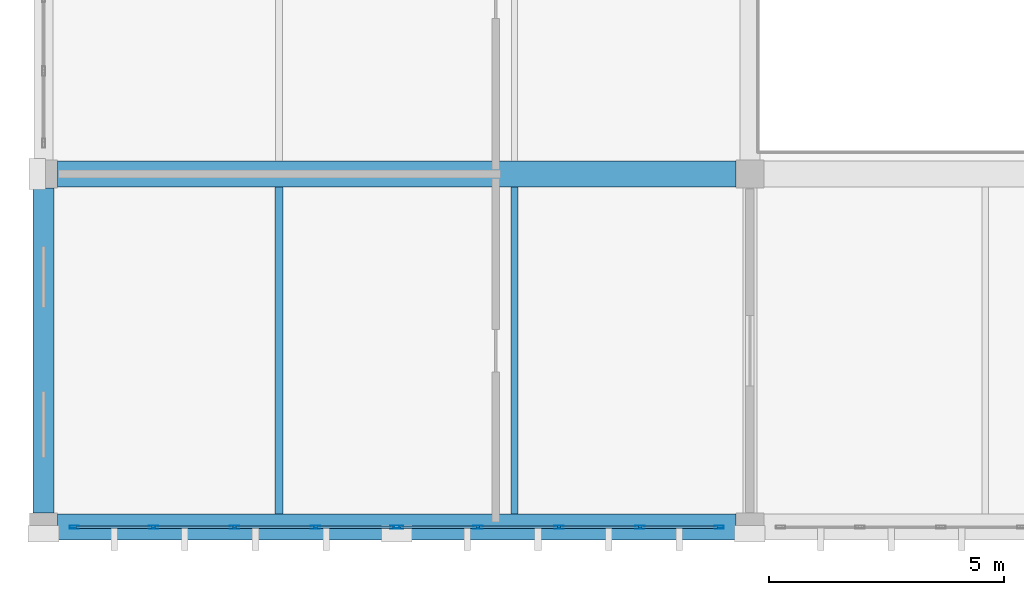
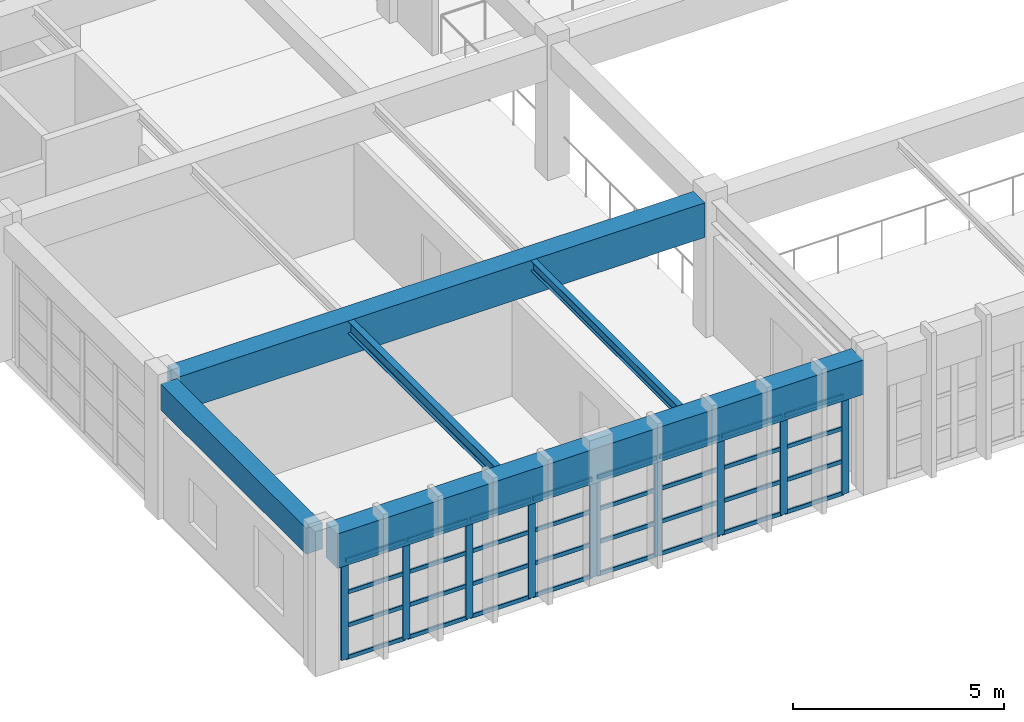
# One storey, part 2 of 124: 42 members, 5 beams, 2 elements without a shape of their own.
"""IFC4 building model written with IfcOpenShell, lengths in metres."""

from ifc_helpers import new_model, si_unit, direction, frame, origin, origin_2d, place, context, subcontext, project, spatial, rectangle, hollow_rectangle, i_section, extrude, material, material_profile, profile_set, type_object, element, aggregate, save


model = new_model("IFC4")

# Units and contexts
model_context = context("Model", 3, precision=1e-05, world=origin(), true_north=direction((0.0, 1.0)))
body_context = subcontext(model_context, "Body", "Model", "MODEL_VIEW")
ifc_project = project(units=[si_unit("LENGTHUNIT", "METRE"), si_unit("AREAUNIT", "SQUARE_METRE"), si_unit("VOLUMEUNIT", "CUBIC_METRE"), si_unit("PLANEANGLEUNIT", "RADIAN"), si_unit("MASSUNIT", "GRAM", prefix="KILO")], contexts=[model_context])

# Site, building, storey
site_placement = place(None, origin())
site = spatial("IfcSite", under=ifc_project, at=site_placement, CompositionType="ELEMENT")
building_placement = place(site_placement, origin())
building = spatial("IfcBuilding", under=site, at=building_placement, Name="Qasida Concert Hall", CompositionType="ELEMENT")
storey_placement = place(building_placement, frame((0.0, 0.0, 9.0)))
storey = spatial("IfcBuildingStorey", under=building, at=storey_placement, Name="L02", CompositionType="ELEMENT", Elevation=9.0)

# Beams
ifc_material_1 = material(Name="Concrete C40/50", Category="concrete")
ifc_material_profile_1 = material_profile(ifc_material_1, rectangle(XDim=0.550048828125, YDim=1.0, at=origin_2d()), Name="RC 550x1000")
ifc_profile_set_1 = profile_set([ifc_material_profile_1], Name="Concrete C40/50")
beam_type_1 = type_object("IfcBeamType", Name="BM-G3", PredefinedType="USERDEFINED", material=ifc_profile_set_1)
for number, where, z_axis, x_axis, name in (
    (1, (0.300048828125, 0.0, 3.39990234375), (1.0, 0.0, 0.0), (0.0, 1.0, 0.0), "Primary girder 1269"),
    (2, (0.300048828125, 7.5, 3.39990234375), (1.0, 0.0, 0.0), (0.0, 1.0, 0.0), "Primary girder 1272"),
):
    element("IfcBeam", number, at=place(storey_placement, frame(where, z_axis=z_axis, x_axis=x_axis)), inside=storey, type_object=beam_type_1, Name=name, ObjectType="GIRDER", PredefinedType="USERDEFINED", context=body_context, shape_type="SweptSolid", body=[
        extrude(rectangle(XDim=0.550048828125, YDim=1.0, at=origin_2d()), origin(), (0.0, 0.0, 1.0), 14.39990234375),
    ])
ifc_material_2 = material(Name="Steel S355J2", Category="steel")
ifc_material_profile_2 = material_profile(ifc_material_2, i_section(OverallWidth=0.169921875, OverallDepth=0.360107421875, WebThickness=0.008056640625, FlangeThickness=0.0126953125, FilletRadius=0.01806640625, at=origin_2d()), Name="IPE 360")
ifc_profile_set_2 = profile_set([ifc_material_profile_2], Name="Steel S355J2")
beam_type_2 = type_object("IfcBeamType", Name="BM-J2", PredefinedType="JOIST", material=ifc_profile_set_2)
beam_1_placement = place(storey_placement, frame((5.0, 0.27490234375, 3.719970703125), z_axis=(0.0, 1.0, 0.0), x_axis=(-1.0, 0.0, 0.0)))
element("IfcBeam", 3, at=beam_1_placement, inside=storey, type_object=beam_type_2, Name="L02 secondary joist 1321", PredefinedType="JOIST", context=body_context, shape_type="SweptSolid", body=[
    extrude(i_section(OverallWidth=0.169921875, OverallDepth=0.360107421875, WebThickness=0.008056640625, FlangeThickness=0.0126953125, FilletRadius=0.01806640625, at=origin_2d()), origin(), (0.0, 0.0, 1.0), 6.9501953125),
])
ifc_material_profile_3 = material_profile(ifc_material_2, i_section(OverallWidth=0.14990234375, OverallDepth=0.300048828125, WebThickness=0.007080078125, FlangeThickness=0.0107421875, FilletRadius=0.014892578125, at=origin_2d()), Name="IPE 300")
ifc_profile_set_3 = profile_set([ifc_material_profile_3], Name="Steel S355J2")
beam_type_3 = type_object("IfcBeamType", Name="BM-J4", PredefinedType="JOIST", material=ifc_profile_set_3)
beam_2_placement = place(storey_placement, frame((10.0, 0.27490234375, 3.75), z_axis=(0.0, 1.0, 0.0), x_axis=(-1.0, 0.0, 0.0)))
element("IfcBeam", 4, at=beam_2_placement, inside=storey, type_object=beam_type_3, Name="L02 secondary joist 1322", PredefinedType="JOIST", context=body_context, shape_type="SweptSolid", body=[
    extrude(i_section(OverallWidth=0.14990234375, OverallDepth=0.300048828125, WebThickness=0.007080078125, FlangeThickness=0.0107421875, FilletRadius=0.014892578125, at=origin_2d()), origin(), (0.0, 0.0, 1.0), 6.9501953125),
])
ifc_material_profile_4 = material_profile(ifc_material_1, rectangle(XDim=0.449951171875, YDim=0.75, at=origin_2d()), Name="RC 450x750")
ifc_profile_set_4 = profile_set([ifc_material_profile_4], Name="Concrete C40/50")
beam_type_4 = type_object("IfcBeamType", Name="BM-SP4", PredefinedType="SPANDREL", material=ifc_profile_set_4)
beam_3_placement = place(storey_placement, frame((0.0, 0.300048828125, 3.52490234375), z_axis=(0.0, 1.0, 0.0), x_axis=(-1.0, 0.0, 0.0)))
element("IfcBeam", 5, at=beam_3_placement, inside=storey, type_object=beam_type_4, Name="L02 girder 1293", PredefinedType="SPANDREL", context=body_context, shape_type="SweptSolid", body=[
    extrude(rectangle(XDim=0.449951171875, YDim=0.75, at=origin_2d()), origin(), (0.0, 0.0, 1.0), 6.89990234375),
])

# Curtain wall, members
ifc_material_3 = material(Name="Architectural bronze-anodized aluminium and low-E glass", Category="aluminium")
curtain_wall_type = type_object("IfcCurtainWallType", Name="CW-08", PredefinedType="NOTDEFINED", material=ifc_material_3)
curtain_wall_1_placement = place(storey_placement, origin())
curtain_wall_1 = element("IfcCurtainWall", 6, at=curtain_wall_1_placement, inside=storey, type_object=curtain_wall_type, Name="L02 curtain wall CW-08 0099", PredefinedType="NOTDEFINED")
ifc_material_4 = material(Name="Architectural bronze-anodized aluminium EN AW-6063", Category="aluminium")
ifc_material_profile_5 = material_profile(ifc_material_4, hollow_rectangle(XDim=0.06494140625, YDim=0.199951171875, WallThickness=0.0048828125, InnerFilletRadius=0.0048828125, OuterFilletRadius=0.010009765625, at=origin_2d()), Name="CWM 200x65x5")
ifc_profile_set_5 = profile_set([ifc_material_profile_5], Name="Architectural bronze-anodized aluminium EN AW-6063")
member_type_1 = type_object("IfcMemberType", Name="MB-CWM-2", PredefinedType="MULLION", material=ifc_profile_set_5)
member_1_placement = place(storey_placement, frame((0.652587890625, 0.0, 0.0), z_axis=(0.0, 0.0, 1.0), x_axis=(0.0, 1.0, 0.0)))
member_1 = element("IfcMember", 7, at=member_1_placement, type_object=member_type_1, Name="CW-08 mullion 1", PredefinedType="MULLION", context=body_context, shape_type="SweptSolid", body=[
    extrude(hollow_rectangle(XDim=0.06494140625, YDim=0.199951171875, WallThickness=0.0048828125, InnerFilletRadius=0.0048828125, OuterFilletRadius=0.010009765625, at=origin_2d()), origin(), (0.0, 0.0, 1.0), 2.8701171875),
])
member_2_placement = place(storey_placement, frame((2.33740234375, 0.0, 0.0), z_axis=(0.0, 0.0, 1.0), x_axis=(0.0, 1.0, 0.0)))
member_2 = element("IfcMember", 8, at=member_2_placement, type_object=member_type_1, Name="CW-08 mullion 2", PredefinedType="MULLION", context=body_context, shape_type="SweptSolid", body=[
    extrude(hollow_rectangle(XDim=0.06494140625, YDim=0.199951171875, WallThickness=0.0048828125, InnerFilletRadius=0.0048828125, OuterFilletRadius=0.010009765625, at=origin_2d()), origin(), (0.0, 0.0, 1.0), 2.8701171875),
])
member_3_placement = place(storey_placement, frame((4.054931640625, 0.0, 0.0), z_axis=(0.0, 0.0, 1.0), x_axis=(0.0, 1.0, 0.0)))
member_3 = element("IfcMember", 9, at=member_3_placement, type_object=member_type_1, Name="CW-08 mullion 3", PredefinedType="MULLION", context=body_context, shape_type="SweptSolid", body=[
    extrude(hollow_rectangle(XDim=0.06494140625, YDim=0.199951171875, WallThickness=0.0048828125, InnerFilletRadius=0.0048828125, OuterFilletRadius=0.010009765625, at=origin_2d()), origin(), (0.0, 0.0, 1.0), 2.8701171875),
])
member_4_placement = place(storey_placement, frame((5.7724609375, 0.0, 0.0), z_axis=(0.0, 0.0, 1.0), x_axis=(0.0, 1.0, 0.0)))
member_4 = element("IfcMember", 10, at=member_4_placement, type_object=member_type_1, Name="CW-08 mullion 4", PredefinedType="MULLION", context=body_context, shape_type="SweptSolid", body=[
    extrude(hollow_rectangle(XDim=0.06494140625, YDim=0.199951171875, WallThickness=0.0048828125, InnerFilletRadius=0.0048828125, OuterFilletRadius=0.010009765625, at=origin_2d()), origin(), (0.0, 0.0, 1.0), 2.8701171875),
])
member_5_placement = place(storey_placement, frame((7.45751953125, 0.0, 0.0), z_axis=(0.0, 0.0, 1.0), x_axis=(0.0, 1.0, 0.0)))
member_5 = element("IfcMember", 11, at=member_5_placement, type_object=member_type_1, Name="CW-08 mullion 5", PredefinedType="MULLION", context=body_context, shape_type="SweptSolid", body=[
    extrude(hollow_rectangle(XDim=0.06494140625, YDim=0.199951171875, WallThickness=0.0048828125, InnerFilletRadius=0.0048828125, OuterFilletRadius=0.010009765625, at=origin_2d()), origin(), (0.0, 0.0, 1.0), 2.8701171875),
])

curtain_wall_2_placement = place(storey_placement, origin())
curtain_wall_2 = element("IfcCurtainWall", 12, at=curtain_wall_2_placement, inside=storey, type_object=curtain_wall_type, Name="L02 curtain wall CW-08 0101", PredefinedType="NOTDEFINED")
member_6_placement = place(storey_placement, frame((7.54248046875, 0.0, 0.0), z_axis=(0.0, 0.0, 1.0), x_axis=(0.0, 1.0, 0.0)))
member_6 = element("IfcMember", 13, at=member_6_placement, type_object=member_type_1, Name="CW-08 mullion 1", PredefinedType="MULLION", context=body_context, shape_type="SweptSolid", body=[
    extrude(hollow_rectangle(XDim=0.06494140625, YDim=0.199951171875, WallThickness=0.0048828125, InnerFilletRadius=0.0048828125, OuterFilletRadius=0.010009765625, at=origin_2d()), origin(), (0.0, 0.0, 1.0), 2.8701171875),
])
member_7_placement = place(storey_placement, frame((9.2275390625, 0.0, 0.0), z_axis=(0.0, 0.0, 1.0), x_axis=(0.0, 1.0, 0.0)))
member_7 = element("IfcMember", 14, at=member_7_placement, type_object=member_type_1, Name="CW-08 mullion 2", PredefinedType="MULLION", context=body_context, shape_type="SweptSolid", body=[
    extrude(hollow_rectangle(XDim=0.06494140625, YDim=0.199951171875, WallThickness=0.0048828125, InnerFilletRadius=0.0048828125, OuterFilletRadius=0.010009765625, at=origin_2d()), origin(), (0.0, 0.0, 1.0), 2.8701171875),
])
member_8_placement = place(storey_placement, frame((10.945068359375, 0.0, 0.0), z_axis=(0.0, 0.0, 1.0), x_axis=(0.0, 1.0, 0.0)))
member_8 = element("IfcMember", 15, at=member_8_placement, type_object=member_type_1, Name="CW-08 mullion 3", PredefinedType="MULLION", context=body_context, shape_type="SweptSolid", body=[
    extrude(hollow_rectangle(XDim=0.06494140625, YDim=0.199951171875, WallThickness=0.0048828125, InnerFilletRadius=0.0048828125, OuterFilletRadius=0.010009765625, at=origin_2d()), origin(), (0.0, 0.0, 1.0), 2.8701171875),
])
member_9_placement = place(storey_placement, frame((12.66259765625, 0.0, 0.0), z_axis=(0.0, 0.0, 1.0), x_axis=(0.0, 1.0, 0.0)))
member_9 = element("IfcMember", 16, at=member_9_placement, type_object=member_type_1, Name="CW-08 mullion 4", PredefinedType="MULLION", context=body_context, shape_type="SweptSolid", body=[
    extrude(hollow_rectangle(XDim=0.06494140625, YDim=0.199951171875, WallThickness=0.0048828125, InnerFilletRadius=0.0048828125, OuterFilletRadius=0.010009765625, at=origin_2d()), origin(), (0.0, 0.0, 1.0), 2.8701171875),
])
member_10_placement = place(storey_placement, frame((14.347412109375, 0.0, 0.0), z_axis=(0.0, 0.0, 1.0), x_axis=(0.0, 1.0, 0.0)))
member_10 = element("IfcMember", 17, at=member_10_placement, type_object=member_type_1, Name="CW-08 mullion 5", PredefinedType="MULLION", context=body_context, shape_type="SweptSolid", body=[
    extrude(hollow_rectangle(XDim=0.06494140625, YDim=0.199951171875, WallThickness=0.0048828125, InnerFilletRadius=0.0048828125, OuterFilletRadius=0.010009765625, at=origin_2d()), origin(), (0.0, 0.0, 1.0), 2.8701171875),
])

# Member
ifc_material_profile_6 = material_profile(ifc_material_4, hollow_rectangle(XDim=0.06005859375, YDim=0.1201171875, WallThickness=0.00390625, InnerFilletRadius=0.00390625, OuterFilletRadius=0.008056640625, at=origin_2d()), Name="CWT 120x60x4")
ifc_profile_set_6 = profile_set([ifc_material_profile_6], Name="Architectural bronze-anodized aluminium EN AW-6063")
member_type_2 = type_object("IfcMemberType", Name="MB-CWT-2", PredefinedType="USERDEFINED", material=ifc_profile_set_6)
member_11_placement = place(storey_placement, frame((0.68505859375, 0.0, 0.030029296875), z_axis=(1.0, 0.0, 0.0), x_axis=(0.0, 1.0, 0.0)))
member_11 = element("IfcMember", 18, at=member_11_placement, type_object=member_type_2, Name="CW-08 transom 1.1", ObjectType="TRANSOM", PredefinedType="USERDEFINED", context=body_context, shape_type="SweptSolid", body=[
    extrude(hollow_rectangle(XDim=0.06005859375, YDim=0.1201171875, WallThickness=0.00390625, InnerFilletRadius=0.00390625, OuterFilletRadius=0.008056640625, at=origin_2d()), origin(), (0.0, 0.0, 1.0), 1.619873046875),
])

member_12_placement = place(storey_placement, frame((0.68505859375, 0.0, 0.956787109375), z_axis=(1.0, 0.0, 0.0), x_axis=(0.0, 1.0, 0.0)))
member_12 = element("IfcMember", 19, at=member_12_placement, type_object=member_type_2, Name="CW-08 transom 1.2", ObjectType="TRANSOM", PredefinedType="USERDEFINED", context=body_context, shape_type="SweptSolid", body=[
    extrude(hollow_rectangle(XDim=0.06005859375, YDim=0.1201171875, WallThickness=0.00390625, InnerFilletRadius=0.00390625, OuterFilletRadius=0.008056640625, at=origin_2d()), origin(), (0.0, 0.0, 1.0), 1.619873046875),
])

member_13_placement = place(storey_placement, frame((0.68505859375, 0.0, 1.913330078125), z_axis=(1.0, 0.0, 0.0), x_axis=(0.0, 1.0, 0.0)))
member_13 = element("IfcMember", 20, at=member_13_placement, type_object=member_type_2, Name="CW-08 transom 1.3", ObjectType="TRANSOM", PredefinedType="USERDEFINED", context=body_context, shape_type="SweptSolid", body=[
    extrude(hollow_rectangle(XDim=0.06005859375, YDim=0.1201171875, WallThickness=0.00390625, InnerFilletRadius=0.00390625, OuterFilletRadius=0.008056640625, at=origin_2d()), origin(), (0.0, 0.0, 1.0), 1.619873046875),
])

member_14_placement = place(storey_placement, frame((0.68505859375, 0.0, 2.840087890625), z_axis=(1.0, 0.0, 0.0), x_axis=(0.0, 1.0, 0.0)))
member_14 = element("IfcMember", 21, at=member_14_placement, type_object=member_type_2, Name="CW-08 transom 1.4", ObjectType="TRANSOM", PredefinedType="USERDEFINED", context=body_context, shape_type="SweptSolid", body=[
    extrude(hollow_rectangle(XDim=0.06005859375, YDim=0.1201171875, WallThickness=0.00390625, InnerFilletRadius=0.00390625, OuterFilletRadius=0.008056640625, at=origin_2d()), origin(), (0.0, 0.0, 1.0), 1.619873046875),
])

member_15_placement = place(storey_placement, frame((2.3701171875, 0.0, 0.030029296875), z_axis=(1.0, 0.0, 0.0), x_axis=(0.0, 1.0, 0.0)))
member_15 = element("IfcMember", 22, at=member_15_placement, type_object=member_type_2, Name="CW-08 transom 2.1", ObjectType="TRANSOM", PredefinedType="USERDEFINED", context=body_context, shape_type="SweptSolid", body=[
    extrude(hollow_rectangle(XDim=0.06005859375, YDim=0.1201171875, WallThickness=0.00390625, InnerFilletRadius=0.00390625, OuterFilletRadius=0.008056640625, at=origin_2d()), origin(), (0.0, 0.0, 1.0), 1.65234375),
])

member_16_placement = place(storey_placement, frame((2.3701171875, 0.0, 0.956787109375), z_axis=(1.0, 0.0, 0.0), x_axis=(0.0, 1.0, 0.0)))
member_16 = element("IfcMember", 23, at=member_16_placement, type_object=member_type_2, Name="CW-08 transom 2.2", ObjectType="TRANSOM", PredefinedType="USERDEFINED", context=body_context, shape_type="SweptSolid", body=[
    extrude(hollow_rectangle(XDim=0.06005859375, YDim=0.1201171875, WallThickness=0.00390625, InnerFilletRadius=0.00390625, OuterFilletRadius=0.008056640625, at=origin_2d()), origin(), (0.0, 0.0, 1.0), 1.65234375),
])

member_17_placement = place(storey_placement, frame((2.3701171875, 0.0, 1.913330078125), z_axis=(1.0, 0.0, 0.0), x_axis=(0.0, 1.0, 0.0)))
member_17 = element("IfcMember", 24, at=member_17_placement, type_object=member_type_2, Name="CW-08 transom 2.3", ObjectType="TRANSOM", PredefinedType="USERDEFINED", context=body_context, shape_type="SweptSolid", body=[
    extrude(hollow_rectangle(XDim=0.06005859375, YDim=0.1201171875, WallThickness=0.00390625, InnerFilletRadius=0.00390625, OuterFilletRadius=0.008056640625, at=origin_2d()), origin(), (0.0, 0.0, 1.0), 1.65234375),
])

member_18_placement = place(storey_placement, frame((2.3701171875, 0.0, 2.840087890625), z_axis=(1.0, 0.0, 0.0), x_axis=(0.0, 1.0, 0.0)))
member_18 = element("IfcMember", 25, at=member_18_placement, type_object=member_type_2, Name="CW-08 transom 2.4", ObjectType="TRANSOM", PredefinedType="USERDEFINED", context=body_context, shape_type="SweptSolid", body=[
    extrude(hollow_rectangle(XDim=0.06005859375, YDim=0.1201171875, WallThickness=0.00390625, InnerFilletRadius=0.00390625, OuterFilletRadius=0.008056640625, at=origin_2d()), origin(), (0.0, 0.0, 1.0), 1.65234375),
])

member_19_placement = place(storey_placement, frame((4.08740234375, 0.0, 0.030029296875), z_axis=(1.0, 0.0, 0.0), x_axis=(0.0, 1.0, 0.0)))
member_19 = element("IfcMember", 26, at=member_19_placement, type_object=member_type_2, Name="CW-08 transom 3.1", ObjectType="TRANSOM", PredefinedType="USERDEFINED", context=body_context, shape_type="SweptSolid", body=[
    extrude(hollow_rectangle(XDim=0.06005859375, YDim=0.1201171875, WallThickness=0.00390625, InnerFilletRadius=0.00390625, OuterFilletRadius=0.008056640625, at=origin_2d()), origin(), (0.0, 0.0, 1.0), 1.652587890625),
])

member_20_placement = place(storey_placement, frame((4.08740234375, 0.0, 0.956787109375), z_axis=(1.0, 0.0, 0.0), x_axis=(0.0, 1.0, 0.0)))
member_20 = element("IfcMember", 27, at=member_20_placement, type_object=member_type_2, Name="CW-08 transom 3.2", ObjectType="TRANSOM", PredefinedType="USERDEFINED", context=body_context, shape_type="SweptSolid", body=[
    extrude(hollow_rectangle(XDim=0.06005859375, YDim=0.1201171875, WallThickness=0.00390625, InnerFilletRadius=0.00390625, OuterFilletRadius=0.008056640625, at=origin_2d()), origin(), (0.0, 0.0, 1.0), 1.652587890625),
])

member_21_placement = place(storey_placement, frame((4.08740234375, 0.0, 1.913330078125), z_axis=(1.0, 0.0, 0.0), x_axis=(0.0, 1.0, 0.0)))
member_21 = element("IfcMember", 28, at=member_21_placement, type_object=member_type_2, Name="CW-08 transom 3.3", ObjectType="TRANSOM", PredefinedType="USERDEFINED", context=body_context, shape_type="SweptSolid", body=[
    extrude(hollow_rectangle(XDim=0.06005859375, YDim=0.1201171875, WallThickness=0.00390625, InnerFilletRadius=0.00390625, OuterFilletRadius=0.008056640625, at=origin_2d()), origin(), (0.0, 0.0, 1.0), 1.652587890625),
])

member_22_placement = place(storey_placement, frame((4.08740234375, 0.0, 2.840087890625), z_axis=(1.0, 0.0, 0.0), x_axis=(0.0, 1.0, 0.0)))
member_22 = element("IfcMember", 29, at=member_22_placement, type_object=member_type_2, Name="CW-08 transom 3.4", ObjectType="TRANSOM", PredefinedType="USERDEFINED", context=body_context, shape_type="SweptSolid", body=[
    extrude(hollow_rectangle(XDim=0.06005859375, YDim=0.1201171875, WallThickness=0.00390625, InnerFilletRadius=0.00390625, OuterFilletRadius=0.008056640625, at=origin_2d()), origin(), (0.0, 0.0, 1.0), 1.652587890625),
])

member_23_placement = place(storey_placement, frame((5.804931640625, 0.0, 0.030029296875), z_axis=(1.0, 0.0, 0.0), x_axis=(0.0, 1.0, 0.0)))
member_23 = element("IfcMember", 30, at=member_23_placement, type_object=member_type_2, Name="CW-08 transom 4.1", ObjectType="TRANSOM", PredefinedType="USERDEFINED", context=body_context, shape_type="SweptSolid", body=[
    extrude(hollow_rectangle(XDim=0.06005859375, YDim=0.1201171875, WallThickness=0.00390625, InnerFilletRadius=0.00390625, OuterFilletRadius=0.008056640625, at=origin_2d()), origin(), (0.0, 0.0, 1.0), 1.6201171875),
])

member_24_placement = place(storey_placement, frame((5.804931640625, 0.0, 0.956787109375), z_axis=(1.0, 0.0, 0.0), x_axis=(0.0, 1.0, 0.0)))
member_24 = element("IfcMember", 31, at=member_24_placement, type_object=member_type_2, Name="CW-08 transom 4.2", ObjectType="TRANSOM", PredefinedType="USERDEFINED", context=body_context, shape_type="SweptSolid", body=[
    extrude(hollow_rectangle(XDim=0.06005859375, YDim=0.1201171875, WallThickness=0.00390625, InnerFilletRadius=0.00390625, OuterFilletRadius=0.008056640625, at=origin_2d()), origin(), (0.0, 0.0, 1.0), 1.6201171875),
])

member_25_placement = place(storey_placement, frame((5.804931640625, 0.0, 1.913330078125), z_axis=(1.0, 0.0, 0.0), x_axis=(0.0, 1.0, 0.0)))
member_25 = element("IfcMember", 32, at=member_25_placement, type_object=member_type_2, Name="CW-08 transom 4.3", ObjectType="TRANSOM", PredefinedType="USERDEFINED", context=body_context, shape_type="SweptSolid", body=[
    extrude(hollow_rectangle(XDim=0.06005859375, YDim=0.1201171875, WallThickness=0.00390625, InnerFilletRadius=0.00390625, OuterFilletRadius=0.008056640625, at=origin_2d()), origin(), (0.0, 0.0, 1.0), 1.6201171875),
])

member_26_placement = place(storey_placement, frame((5.804931640625, 0.0, 2.840087890625), z_axis=(1.0, 0.0, 0.0), x_axis=(0.0, 1.0, 0.0)))
member_26 = element("IfcMember", 33, at=member_26_placement, type_object=member_type_2, Name="CW-08 transom 4.4", ObjectType="TRANSOM", PredefinedType="USERDEFINED", context=body_context, shape_type="SweptSolid", body=[
    extrude(hollow_rectangle(XDim=0.06005859375, YDim=0.1201171875, WallThickness=0.00390625, InnerFilletRadius=0.00390625, OuterFilletRadius=0.008056640625, at=origin_2d()), origin(), (0.0, 0.0, 1.0), 1.6201171875),
])

aggregate(curtain_wall_1, [member_1, member_2, member_3, member_4, member_5, member_11, member_12, member_13, member_14, member_15, member_16, member_17, member_18, member_19, member_20, member_21, member_22, member_23, member_24, member_25, member_26])

member_27_placement = place(storey_placement, frame((7.574951171875, 0.0, 0.030029296875), z_axis=(1.0, 0.0, 0.0), x_axis=(0.0, 1.0, 0.0)))
member_27 = element("IfcMember", 34, at=member_27_placement, type_object=member_type_2, Name="CW-08 transom 1.1", ObjectType="TRANSOM", PredefinedType="USERDEFINED", context=body_context, shape_type="SweptSolid", body=[
    extrude(hollow_rectangle(XDim=0.06005859375, YDim=0.1201171875, WallThickness=0.00390625, InnerFilletRadius=0.00390625, OuterFilletRadius=0.008056640625, at=origin_2d()), origin(), (0.0, 0.0, 1.0), 1.6201171875),
])

member_28_placement = place(storey_placement, frame((7.574951171875, 0.0, 0.956787109375), z_axis=(1.0, 0.0, 0.0), x_axis=(0.0, 1.0, 0.0)))
member_28 = element("IfcMember", 35, at=member_28_placement, type_object=member_type_2, Name="CW-08 transom 1.2", ObjectType="TRANSOM", PredefinedType="USERDEFINED", context=body_context, shape_type="SweptSolid", body=[
    extrude(hollow_rectangle(XDim=0.06005859375, YDim=0.1201171875, WallThickness=0.00390625, InnerFilletRadius=0.00390625, OuterFilletRadius=0.008056640625, at=origin_2d()), origin(), (0.0, 0.0, 1.0), 1.6201171875),
])

member_29_placement = place(storey_placement, frame((7.574951171875, 0.0, 1.913330078125), z_axis=(1.0, 0.0, 0.0), x_axis=(0.0, 1.0, 0.0)))
member_29 = element("IfcMember", 36, at=member_29_placement, type_object=member_type_2, Name="CW-08 transom 1.3", ObjectType="TRANSOM", PredefinedType="USERDEFINED", context=body_context, shape_type="SweptSolid", body=[
    extrude(hollow_rectangle(XDim=0.06005859375, YDim=0.1201171875, WallThickness=0.00390625, InnerFilletRadius=0.00390625, OuterFilletRadius=0.008056640625, at=origin_2d()), origin(), (0.0, 0.0, 1.0), 1.6201171875),
])

member_30_placement = place(storey_placement, frame((7.574951171875, 0.0, 2.840087890625), z_axis=(1.0, 0.0, 0.0), x_axis=(0.0, 1.0, 0.0)))
member_30 = element("IfcMember", 37, at=member_30_placement, type_object=member_type_2, Name="CW-08 transom 1.4", ObjectType="TRANSOM", PredefinedType="USERDEFINED", context=body_context, shape_type="SweptSolid", body=[
    extrude(hollow_rectangle(XDim=0.06005859375, YDim=0.1201171875, WallThickness=0.00390625, InnerFilletRadius=0.00390625, OuterFilletRadius=0.008056640625, at=origin_2d()), origin(), (0.0, 0.0, 1.0), 1.6201171875),
])

member_31_placement = place(storey_placement, frame((9.260009765625, 0.0, 0.030029296875), z_axis=(1.0, 0.0, 0.0), x_axis=(0.0, 1.0, 0.0)))
member_31 = element("IfcMember", 38, at=member_31_placement, type_object=member_type_2, Name="CW-08 transom 2.1", ObjectType="TRANSOM", PredefinedType="USERDEFINED", context=body_context, shape_type="SweptSolid", body=[
    extrude(hollow_rectangle(XDim=0.06005859375, YDim=0.1201171875, WallThickness=0.00390625, InnerFilletRadius=0.00390625, OuterFilletRadius=0.008056640625, at=origin_2d()), origin(), (0.0, 0.0, 1.0), 1.652587890625),
])

member_32_placement = place(storey_placement, frame((9.260009765625, 0.0, 0.956787109375), z_axis=(1.0, 0.0, 0.0), x_axis=(0.0, 1.0, 0.0)))
member_32 = element("IfcMember", 39, at=member_32_placement, type_object=member_type_2, Name="CW-08 transom 2.2", ObjectType="TRANSOM", PredefinedType="USERDEFINED", context=body_context, shape_type="SweptSolid", body=[
    extrude(hollow_rectangle(XDim=0.06005859375, YDim=0.1201171875, WallThickness=0.00390625, InnerFilletRadius=0.00390625, OuterFilletRadius=0.008056640625, at=origin_2d()), origin(), (0.0, 0.0, 1.0), 1.652587890625),
])

member_33_placement = place(storey_placement, frame((9.260009765625, 0.0, 1.913330078125), z_axis=(1.0, 0.0, 0.0), x_axis=(0.0, 1.0, 0.0)))
member_33 = element("IfcMember", 40, at=member_33_placement, type_object=member_type_2, Name="CW-08 transom 2.3", ObjectType="TRANSOM", PredefinedType="USERDEFINED", context=body_context, shape_type="SweptSolid", body=[
    extrude(hollow_rectangle(XDim=0.06005859375, YDim=0.1201171875, WallThickness=0.00390625, InnerFilletRadius=0.00390625, OuterFilletRadius=0.008056640625, at=origin_2d()), origin(), (0.0, 0.0, 1.0), 1.652587890625),
])

member_34_placement = place(storey_placement, frame((9.260009765625, 0.0, 2.840087890625), z_axis=(1.0, 0.0, 0.0), x_axis=(0.0, 1.0, 0.0)))
member_34 = element("IfcMember", 41, at=member_34_placement, type_object=member_type_2, Name="CW-08 transom 2.4", ObjectType="TRANSOM", PredefinedType="USERDEFINED", context=body_context, shape_type="SweptSolid", body=[
    extrude(hollow_rectangle(XDim=0.06005859375, YDim=0.1201171875, WallThickness=0.00390625, InnerFilletRadius=0.00390625, OuterFilletRadius=0.008056640625, at=origin_2d()), origin(), (0.0, 0.0, 1.0), 1.652587890625),
])

member_35_placement = place(storey_placement, frame((10.9775390625, 0.0, 0.030029296875), z_axis=(1.0, 0.0, 0.0), x_axis=(0.0, 1.0, 0.0)))
member_35 = element("IfcMember", 42, at=member_35_placement, type_object=member_type_2, Name="CW-08 transom 3.1", ObjectType="TRANSOM", PredefinedType="USERDEFINED", context=body_context, shape_type="SweptSolid", body=[
    extrude(hollow_rectangle(XDim=0.06005859375, YDim=0.1201171875, WallThickness=0.00390625, InnerFilletRadius=0.00390625, OuterFilletRadius=0.008056640625, at=origin_2d()), origin(), (0.0, 0.0, 1.0), 1.65234375),
])

member_36_placement = place(storey_placement, frame((10.9775390625, 0.0, 0.956787109375), z_axis=(1.0, 0.0, 0.0), x_axis=(0.0, 1.0, 0.0)))
member_36 = element("IfcMember", 43, at=member_36_placement, type_object=member_type_2, Name="CW-08 transom 3.2", ObjectType="TRANSOM", PredefinedType="USERDEFINED", context=body_context, shape_type="SweptSolid", body=[
    extrude(hollow_rectangle(XDim=0.06005859375, YDim=0.1201171875, WallThickness=0.00390625, InnerFilletRadius=0.00390625, OuterFilletRadius=0.008056640625, at=origin_2d()), origin(), (0.0, 0.0, 1.0), 1.65234375),
])

member_37_placement = place(storey_placement, frame((10.9775390625, 0.0, 1.913330078125), z_axis=(1.0, 0.0, 0.0), x_axis=(0.0, 1.0, 0.0)))
member_37 = element("IfcMember", 44, at=member_37_placement, type_object=member_type_2, Name="CW-08 transom 3.3", ObjectType="TRANSOM", PredefinedType="USERDEFINED", context=body_context, shape_type="SweptSolid", body=[
    extrude(hollow_rectangle(XDim=0.06005859375, YDim=0.1201171875, WallThickness=0.00390625, InnerFilletRadius=0.00390625, OuterFilletRadius=0.008056640625, at=origin_2d()), origin(), (0.0, 0.0, 1.0), 1.65234375),
])

member_38_placement = place(storey_placement, frame((10.9775390625, 0.0, 2.840087890625), z_axis=(1.0, 0.0, 0.0), x_axis=(0.0, 1.0, 0.0)))
member_38 = element("IfcMember", 45, at=member_38_placement, type_object=member_type_2, Name="CW-08 transom 3.4", ObjectType="TRANSOM", PredefinedType="USERDEFINED", context=body_context, shape_type="SweptSolid", body=[
    extrude(hollow_rectangle(XDim=0.06005859375, YDim=0.1201171875, WallThickness=0.00390625, InnerFilletRadius=0.00390625, OuterFilletRadius=0.008056640625, at=origin_2d()), origin(), (0.0, 0.0, 1.0), 1.65234375),
])

member_39_placement = place(storey_placement, frame((12.695068359375, 0.0, 0.030029296875), z_axis=(1.0, 0.0, 0.0), x_axis=(0.0, 1.0, 0.0)))
member_39 = element("IfcMember", 46, at=member_39_placement, type_object=member_type_2, Name="CW-08 transom 4.1", ObjectType="TRANSOM", PredefinedType="USERDEFINED", context=body_context, shape_type="SweptSolid", body=[
    extrude(hollow_rectangle(XDim=0.06005859375, YDim=0.1201171875, WallThickness=0.00390625, InnerFilletRadius=0.00390625, OuterFilletRadius=0.008056640625, at=origin_2d()), origin(), (0.0, 0.0, 1.0), 1.619873046875),
])

member_40_placement = place(storey_placement, frame((12.695068359375, 0.0, 0.956787109375), z_axis=(1.0, 0.0, 0.0), x_axis=(0.0, 1.0, 0.0)))
member_40 = element("IfcMember", 47, at=member_40_placement, type_object=member_type_2, Name="CW-08 transom 4.2", ObjectType="TRANSOM", PredefinedType="USERDEFINED", context=body_context, shape_type="SweptSolid", body=[
    extrude(hollow_rectangle(XDim=0.06005859375, YDim=0.1201171875, WallThickness=0.00390625, InnerFilletRadius=0.00390625, OuterFilletRadius=0.008056640625, at=origin_2d()), origin(), (0.0, 0.0, 1.0), 1.619873046875),
])

member_41_placement = place(storey_placement, frame((12.695068359375, 0.0, 1.913330078125), z_axis=(1.0, 0.0, 0.0), x_axis=(0.0, 1.0, 0.0)))
member_41 = element("IfcMember", 48, at=member_41_placement, type_object=member_type_2, Name="CW-08 transom 4.3", ObjectType="TRANSOM", PredefinedType="USERDEFINED", context=body_context, shape_type="SweptSolid", body=[
    extrude(hollow_rectangle(XDim=0.06005859375, YDim=0.1201171875, WallThickness=0.00390625, InnerFilletRadius=0.00390625, OuterFilletRadius=0.008056640625, at=origin_2d()), origin(), (0.0, 0.0, 1.0), 1.619873046875),
])

member_42_placement = place(storey_placement, frame((12.695068359375, 0.0, 2.840087890625), z_axis=(1.0, 0.0, 0.0), x_axis=(0.0, 1.0, 0.0)))
member_42 = element("IfcMember", 49, at=member_42_placement, type_object=member_type_2, Name="CW-08 transom 4.4", ObjectType="TRANSOM", PredefinedType="USERDEFINED", context=body_context, shape_type="SweptSolid", body=[
    extrude(hollow_rectangle(XDim=0.06005859375, YDim=0.1201171875, WallThickness=0.00390625, InnerFilletRadius=0.00390625, OuterFilletRadius=0.008056640625, at=origin_2d()), origin(), (0.0, 0.0, 1.0), 1.619873046875),
])

aggregate(curtain_wall_2, [member_6, member_7, member_8, member_9, member_10, member_27, member_28, member_29, member_30, member_31, member_32, member_33, member_34, member_35, member_36, member_37, member_38, member_39, member_40, member_41, member_42])

save(model, "model.ifc")
